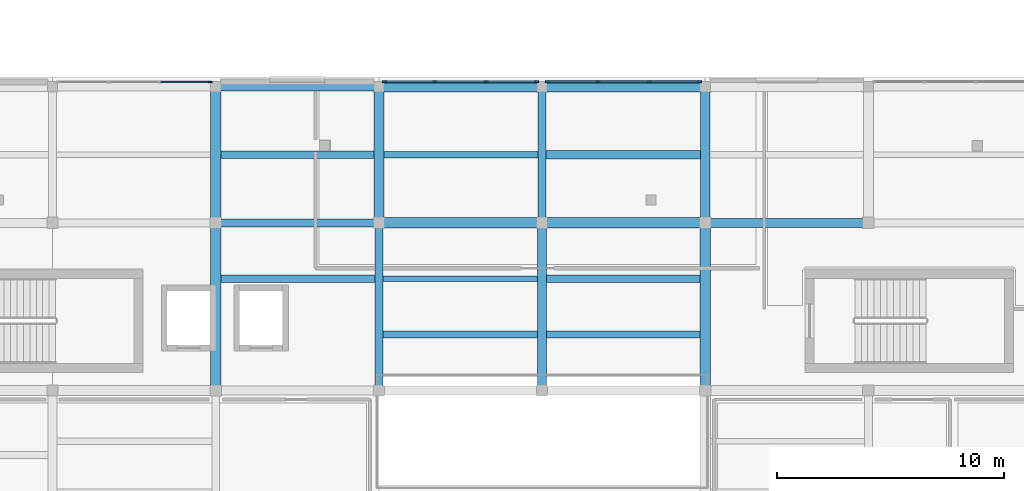
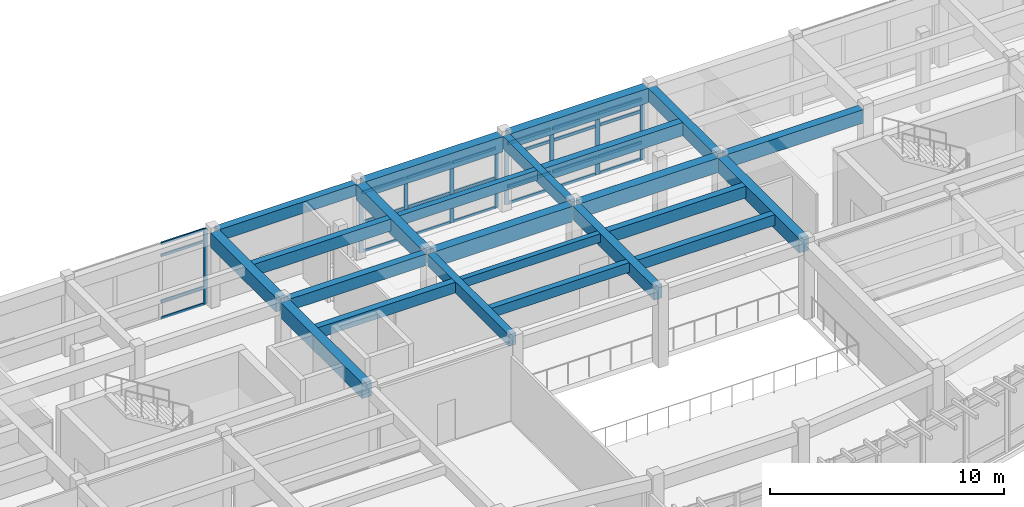
# One storey, part 24 of 60: 34 members, 23 beams, 3 elements without a shape of their own.
"""IFC4 building model written with IfcOpenShell, lengths in metres."""

from ifc_helpers import new_model, si_unit, direction, frame, origin, origin_2d, place, context, subcontext, project, spatial, rectangle, extrude, material, layer, layer_set, material_profile, profile_set, type_object, element, aggregate, save


model = new_model("IFC4")

# Units and contexts
model_context = context("Model", 3, precision=1e-05, world=origin(), true_north=direction((0.0, 1.0)))
body_context = subcontext(model_context, "Body", "Model", "MODEL_VIEW")
ifc_project = project(units=[si_unit("LENGTHUNIT", "METRE"), si_unit("AREAUNIT", "SQUARE_METRE"), si_unit("VOLUMEUNIT", "CUBIC_METRE"), si_unit("PLANEANGLEUNIT", "RADIAN"), si_unit("MASSUNIT", "GRAM", prefix="KILO")], contexts=[model_context])

# Site, building, storey
site_placement = place(None, origin())
site = spatial("IfcSite", under=ifc_project, at=site_placement, CompositionType="ELEMENT")
building_placement = place(site_placement, origin())
building = spatial("IfcBuilding", under=site, at=building_placement, Name="Brisavento Harbour Community Centre", CompositionType="ELEMENT")
storey_placement = place(building_placement, frame((0.0, 0.0, 4.5)))
storey = spatial("IfcBuildingStorey", under=building, at=storey_placement, Name="L01", CompositionType="ELEMENT", Elevation=4.5)

# Beams
ifc_material_1 = material(Name="Concrete C35/45", Category="concrete")
ifc_material_profile_1 = material_profile(ifc_material_1, rectangle(XDim=0.25, YDim=0.449951171875, at=origin_2d()), Name="Concrete C35/45")
ifc_profile_set_1 = profile_set([ifc_material_profile_1], Name="Concrete C35/45")
beam_type_1 = type_object("IfcBeamType", Name="BM-JST-250x450", PredefinedType="JOIST", material=ifc_profile_set_1)
beam_1_placement = place(storey_placement, frame((136.97509765625, 19.933349609375, 3.72509765625), z_axis=(1.0, 0.0, 0.0), x_axis=(0.0, 1.0, 0.0)))
element("IfcBeam", 1, at=beam_1_placement, inside=storey, type_object=beam_type_1, Name="L01 secondary floor joist 0266", PredefinedType="JOIST", context=body_context, shape_type="SweptSolid", body=[
    extrude(rectangle(XDim=0.25, YDim=0.449951171875, at=origin_2d()), origin(), (0.0, 0.0, 1.0), 6.824951171875),
])
ifc_material_profile_2 = material_profile(ifc_material_1, rectangle(XDim=0.280029296875, YDim=0.52001953125, at=origin_2d()), Name="Concrete C35/45")
ifc_profile_set_2 = profile_set([ifc_material_profile_2], Name="Concrete C35/45")
beam_type_2 = type_object("IfcBeamType", Name="BM-JST-280x520", PredefinedType="JOIST", material=ifc_profile_set_2)
beam_2_placement = place(storey_placement, frame((137.02490234375, 25.39990234375, 3.68994140625), z_axis=(1.0, 0.0, 0.0), x_axis=(0.0, 1.0, 0.0)))
element("IfcBeam", 2, at=beam_2_placement, inside=storey, type_object=beam_type_2, Name="L01 secondary floor joist 0267", PredefinedType="JOIST", context=body_context, shape_type="SweptSolid", body=[
    extrude(rectangle(XDim=0.280029296875, YDim=0.52001953125, at=origin_2d()), origin(), (0.0, 0.0, 1.0), 6.800048828125),
])
ifc_material_profile_3 = material_profile(ifc_material_1, rectangle(XDim=0.300048828125, YDim=0.5, at=origin_2d()), Name="Concrete C35/45")
ifc_profile_set_3 = profile_set([ifc_material_profile_3], Name="Concrete C35/45")
beam_type_3 = type_object("IfcBeamType", Name="BM-JST-300x500", PredefinedType="JOIST", material=ifc_profile_set_3)
beam_3_placement = place(storey_placement, frame((136.97509765625, 17.466796875, 3.699951171875), z_axis=(1.0, 0.0, 0.0), x_axis=(0.0, 1.0, 0.0)))
element("IfcBeam", 3, at=beam_3_placement, inside=storey, type_object=beam_type_3, Name="L01 secondary floor joist 0265", PredefinedType="JOIST", context=body_context, shape_type="SweptSolid", body=[
    extrude(rectangle(XDim=0.300048828125, YDim=0.5, at=origin_2d()), origin(), (0.0, 0.0, 1.0), 6.824951171875),
])
ifc_material_profile_4 = material_profile(ifc_material_1, rectangle(XDim=0.320068359375, YDim=0.56005859375, at=origin_2d()), Name="Concrete C35/45")
ifc_profile_set_4 = profile_set([ifc_material_profile_4], Name="Concrete C35/45")
beam_type_4 = type_object("IfcBeamType", Name="BM-JST-320x560", PredefinedType="JOIST", material=ifc_profile_set_4)
beam_4_placement = place(storey_placement, frame((129.824951171875, 19.933349609375, 3.669921875), z_axis=(1.0, 0.0, 0.0), x_axis=(0.0, 1.0, 0.0)))
element("IfcBeam", 4, at=beam_4_placement, inside=storey, type_object=beam_type_4, Name="L01 secondary floor joist 0259", PredefinedType="JOIST", context=body_context, shape_type="SweptSolid", body=[
    extrude(rectangle(XDim=0.320068359375, YDim=0.56005859375, at=origin_2d()), origin(), (0.0, 0.0, 1.0), 6.800048828125),
])
beam_5_placement = place(storey_placement, frame((144.199951171875, 17.466796875, 3.669921875), z_axis=(1.0, 0.0, 0.0), x_axis=(0.0, 1.0, 0.0)))
element("IfcBeam", 5, at=beam_5_placement, inside=storey, type_object=beam_type_4, Name="L01 secondary floor joist 0270", PredefinedType="JOIST", context=body_context, shape_type="SweptSolid", body=[
    extrude(rectangle(XDim=0.320068359375, YDim=0.56005859375, at=origin_2d()), origin(), (0.0, 0.0, 1.0), 6.775146484375),
])
ifc_material_profile_5 = material_profile(ifc_material_1, rectangle(XDim=0.320068359375, YDim=0.6201171875, at=origin_2d()), Name="Concrete C35/45")
ifc_profile_set_5 = profile_set([ifc_material_profile_5], Name="Concrete C35/45")
beam_type_5 = type_object("IfcBeamType", Name="BM-JST-320x620", PredefinedType="JOIST", material=ifc_profile_set_5)
beam_6_placement = place(storey_placement, frame((129.824951171875, 25.39990234375, 3.639892578125), z_axis=(1.0, 0.0, 0.0), x_axis=(0.0, 1.0, 0.0)))
element("IfcBeam", 6, at=beam_6_placement, inside=storey, type_object=beam_type_5, Name="L01 secondary floor joist 0260", PredefinedType="JOIST", context=body_context, shape_type="SweptSolid", body=[
    extrude(rectangle(XDim=0.320068359375, YDim=0.6201171875, at=origin_2d()), origin(), (0.0, 0.0, 1.0), 6.75),
])
beam_7_placement = place(storey_placement, frame((144.199951171875, 19.933349609375, 3.639892578125), z_axis=(1.0, 0.0, 0.0), x_axis=(0.0, 1.0, 0.0)))
element("IfcBeam", 7, at=beam_7_placement, inside=storey, type_object=beam_type_5, Name="L01 secondary floor joist 0271", PredefinedType="JOIST", context=body_context, shape_type="SweptSolid", body=[
    extrude(rectangle(XDim=0.320068359375, YDim=0.6201171875, at=origin_2d()), origin(), (0.0, 0.0, 1.0), 6.775146484375),
])
ifc_material_profile_6 = material_profile(ifc_material_1, rectangle(XDim=0.360107421875, YDim=0.679931640625, at=origin_2d()), Name="Concrete C35/45")
ifc_profile_set_6 = profile_set([ifc_material_profile_6], Name="Concrete C35/45")
beam_type_6 = type_object("IfcBeamType", Name="BM-JST-360x680", PredefinedType="JOIST", material=ifc_profile_set_6)
beam_8_placement = place(storey_placement, frame((144.175048828125, 25.39990234375, 3.610107421875), z_axis=(1.0, 0.0, 0.0), x_axis=(0.0, 1.0, 0.0)))
element("IfcBeam", 8, at=beam_8_placement, inside=storey, type_object=beam_type_6, Name="L01 secondary floor joist 0272", PredefinedType="JOIST", context=body_context, shape_type="SweptSolid", body=[
    extrude(rectangle(XDim=0.360107421875, YDim=0.679931640625, at=origin_2d()), origin(), (0.0, 0.0, 1.0), 6.824951171875),
])
ifc_material_profile_7 = material_profile(ifc_material_1, rectangle(XDim=0.35009765625, YDim=0.60009765625, at=origin_2d()), Name="Concrete C35/45")
ifc_profile_set_7 = profile_set([ifc_material_profile_7], Name="Concrete C35/45")
beam_type_7 = type_object("IfcBeamType", Name="BM-RC-350x600", PredefinedType="BEAM", material=ifc_profile_set_7)
beam_9_placement = place(storey_placement, frame((129.820068359375, 22.39990234375, 3.64990234375), z_axis=(1.0, 0.0, 0.0), x_axis=(0.0, 1.0, 0.0)))
element("IfcBeam", 9, at=beam_9_placement, inside=storey, type_object=beam_type_7, Name="L01 primary girder X0419", PredefinedType="BEAM", context=body_context, shape_type="SweptSolid", body=[
    extrude(rectangle(XDim=0.35009765625, YDim=0.60009765625, at=origin_2d()), origin(), (0.0, 0.0, 1.0), 6.760009765625),
])
beam_10_placement = place(storey_placement, frame((129.794921875, 28.39990234375, 3.64990234375), z_axis=(1.0, 0.0, 0.0), x_axis=(0.0, 1.0, 0.0)))
element("IfcBeam", 10, at=beam_10_placement, inside=storey, type_object=beam_type_7, Name="L01 primary girder X0434", PredefinedType="BEAM", context=body_context, shape_type="SweptSolid", body=[
    extrude(rectangle(XDim=0.35009765625, YDim=0.60009765625, at=origin_2d()), origin(), (0.0, 0.0, 1.0), 6.81005859375),
])
beam_11_placement = place(storey_placement, frame((136.800048828125, 15.219970703125, 3.64990234375), z_axis=(0.0, 1.0, 0.0), x_axis=(-1.0, 0.0, 0.0)))
element("IfcBeam", 11, at=beam_11_placement, inside=storey, type_object=beam_type_7, Name="L01 primary girder Y0514", PredefinedType="BEAM", context=body_context, shape_type="SweptSolid", body=[
    extrude(rectangle(XDim=0.35009765625, YDim=0.60009765625, at=origin_2d()), origin(), (0.0, 0.0, 1.0), 6.9599609375),
])
ifc_material_profile_8 = material_profile(ifc_material_1, rectangle(XDim=0.35009765625, YDim=0.64990234375, at=origin_2d()), Name="Concrete C35/45")
ifc_profile_set_8 = profile_set([ifc_material_profile_8], Name="Concrete C35/45")
beam_type_8 = type_object("IfcBeamType", Name="BM-RC-350x650", PredefinedType="BEAM", material=ifc_profile_set_8)
beam_12_placement = place(storey_placement, frame((144.0, 22.6201171875, 3.625), z_axis=(0.0, 1.0, 0.0), x_axis=(-1.0, 0.0, 0.0)))
element("IfcBeam", 12, at=beam_12_placement, inside=storey, type_object=beam_type_8, Name="L01 primary girder Y0518", PredefinedType="BEAM", context=body_context, shape_type="SweptSolid", body=[
    extrude(rectangle(XDim=0.35009765625, YDim=0.64990234375, at=origin_2d()), origin(), (0.0, 0.0, 1.0), 5.5849609375),
])
ifc_material_profile_9 = material_profile(ifc_material_1, rectangle(XDim=0.39990234375, YDim=0.699951171875, at=origin_2d()), Name="Concrete C35/45")
ifc_profile_set_9 = profile_set([ifc_material_profile_9], Name="Concrete C35/45")
beam_type_9 = type_object("IfcBeamType", Name="BM-RC-400x700", PredefinedType="BEAM", material=ifc_profile_set_9)
beam_13_placement = place(storey_placement, frame((151.419921875, 22.39990234375, 3.60009765625), z_axis=(1.0, 0.0, 0.0), x_axis=(0.0, 1.0, 0.0)))
element("IfcBeam", 13, at=beam_13_placement, inside=storey, type_object=beam_type_9, Name="L01 primary girder X0422", PredefinedType="BEAM", context=body_context, shape_type="SweptSolid", body=[
    extrude(rectangle(XDim=0.39990234375, YDim=0.699951171875, at=origin_2d()), origin(), (0.0, 0.0, 1.0), 6.760009765625),
])
beam_14_placement = place(storey_placement, frame((144.0, 15.219970703125, 3.60009765625), z_axis=(0.0, 1.0, 0.0), x_axis=(-1.0, 0.0, 0.0)))
element("IfcBeam", 14, at=beam_14_placement, inside=storey, type_object=beam_type_9, Name="L01 primary girder Y0517", PredefinedType="BEAM", context=body_context, shape_type="SweptSolid", body=[
    extrude(rectangle(XDim=0.39990234375, YDim=0.699951171875, at=origin_2d()), origin(), (0.0, 0.0, 1.0), 6.9599609375),
])
beam_15_placement = place(storey_placement, frame((151.199951171875, 22.6201171875, 3.60009765625), z_axis=(0.0, 1.0, 0.0), x_axis=(-1.0, 0.0, 0.0)))
element("IfcBeam", 15, at=beam_15_placement, inside=storey, type_object=beam_type_9, Name="L01 primary girder Y0522", PredefinedType="BEAM", context=body_context, shape_type="SweptSolid", body=[
    extrude(rectangle(XDim=0.39990234375, YDim=0.699951171875, at=origin_2d()), origin(), (0.0, 0.0, 1.0), 5.5849609375),
])
ifc_material_profile_10 = material_profile(ifc_material_1, rectangle(XDim=0.449951171875, YDim=0.75, at=origin_2d()), Name="Concrete C35/45")
ifc_profile_set_10 = profile_set([ifc_material_profile_10], Name="Concrete C35/45")
beam_type_10 = type_object("IfcBeamType", Name="BM-RC-450x750", PredefinedType="BEAM", material=ifc_profile_set_10)
beam_16_placement = place(storey_placement, frame((144.219970703125, 22.39990234375, 3.574951171875), z_axis=(1.0, 0.0, 0.0), x_axis=(0.0, 1.0, 0.0)))
element("IfcBeam", 16, at=beam_16_placement, inside=storey, type_object=beam_type_10, Name="L01 primary girder X0421", PredefinedType="BEAM", context=body_context, shape_type="SweptSolid", body=[
    extrude(rectangle(XDim=0.449951171875, YDim=0.75, at=origin_2d()), origin(), (0.0, 0.0, 1.0), 6.760009765625),
])
beam_17_placement = place(storey_placement, frame((144.195068359375, 28.39990234375, 3.574951171875), z_axis=(1.0, 0.0, 0.0), x_axis=(0.0, 1.0, 0.0)))
element("IfcBeam", 17, at=beam_17_placement, inside=storey, type_object=beam_type_10, Name="L01 primary girder X0436", PredefinedType="BEAM", context=body_context, shape_type="SweptSolid", body=[
    extrude(rectangle(XDim=0.449951171875, YDim=0.75, at=origin_2d()), origin(), (0.0, 0.0, 1.0), 6.809814453125),
])
beam_18_placement = place(storey_placement, frame((129.60009765625, 22.6201171875, 3.574951171875), z_axis=(0.0, 1.0, 0.0), x_axis=(-1.0, 0.0, 0.0)))
element("IfcBeam", 18, at=beam_18_placement, inside=storey, type_object=beam_type_10, Name="L01 primary girder Y0511", PredefinedType="BEAM", context=body_context, shape_type="SweptSolid", body=[
    extrude(rectangle(XDim=0.449951171875, YDim=0.75, at=origin_2d()), origin(), (0.0, 0.0, 1.0), 5.5849609375),
])
beam_19_placement = place(storey_placement, frame((151.199951171875, 15.219970703125, 3.574951171875), z_axis=(0.0, 1.0, 0.0), x_axis=(-1.0, 0.0, 0.0)))
element("IfcBeam", 19, at=beam_19_placement, inside=storey, type_object=beam_type_10, Name="L01 primary girder Y0521", PredefinedType="BEAM", context=body_context, shape_type="SweptSolid", body=[
    extrude(rectangle(XDim=0.449951171875, YDim=0.75, at=origin_2d()), origin(), (0.0, 0.0, 1.0), 6.9599609375),
])
ifc_material_profile_11 = material_profile(ifc_material_1, rectangle(XDim=0.449951171875, YDim=0.800048828125, at=origin_2d()), Name="Concrete C35/45")
ifc_profile_set_11 = profile_set([ifc_material_profile_11], Name="Concrete C35/45")
beam_type_11 = type_object("IfcBeamType", Name="BM-RC-450x800", PredefinedType="BEAM", material=ifc_profile_set_11)
beam_20_placement = place(storey_placement, frame((137.02001953125, 22.39990234375, 3.550048828125), z_axis=(1.0, 0.0, 0.0), x_axis=(0.0, 1.0, 0.0)))
element("IfcBeam", 20, at=beam_20_placement, inside=storey, type_object=beam_type_11, Name="L01 primary girder X0420", PredefinedType="BEAM", context=body_context, shape_type="SweptSolid", body=[
    extrude(rectangle(XDim=0.449951171875, YDim=0.800048828125, at=origin_2d()), origin(), (0.0, 0.0, 1.0), 6.760009765625),
])
beam_21_placement = place(storey_placement, frame((136.9951171875, 28.39990234375, 3.550048828125), z_axis=(1.0, 0.0, 0.0), x_axis=(0.0, 1.0, 0.0)))
element("IfcBeam", 21, at=beam_21_placement, inside=storey, type_object=beam_type_11, Name="L01 primary girder X0435", PredefinedType="BEAM", context=body_context, shape_type="SweptSolid", body=[
    extrude(rectangle(XDim=0.449951171875, YDim=0.800048828125, at=origin_2d()), origin(), (0.0, 0.0, 1.0), 6.809814453125),
])
beam_22_placement = place(storey_placement, frame((129.60009765625, 15.219970703125, 3.550048828125), z_axis=(0.0, 1.0, 0.0), x_axis=(-1.0, 0.0, 0.0)))
element("IfcBeam", 22, at=beam_22_placement, inside=storey, type_object=beam_type_11, Name="L01 primary girder Y0510", PredefinedType="BEAM", context=body_context, shape_type="SweptSolid", body=[
    extrude(rectangle(XDim=0.449951171875, YDim=0.800048828125, at=origin_2d()), origin(), (0.0, 0.0, 1.0), 6.9599609375),
])
beam_23_placement = place(storey_placement, frame((136.800048828125, 22.6201171875, 3.550048828125), z_axis=(0.0, 1.0, 0.0), x_axis=(-1.0, 0.0, 0.0)))
element("IfcBeam", 23, at=beam_23_placement, inside=storey, type_object=beam_type_11, Name="L01 primary girder Y0515", PredefinedType="BEAM", context=body_context, shape_type="SweptSolid", body=[
    extrude(rectangle(XDim=0.449951171875, YDim=0.800048828125, at=origin_2d()), origin(), (0.0, 0.0, 1.0), 5.5849609375),
])

# Curtain wall, member
ifc_material_2 = material(Name="Marine-anodised aluminium AW-6063-T6", Category="aluminium")
ifc_layer_1 = layer(ifc_material_2, 0.179931640625, Name="Marine-anodised aluminium AW-6063-T6")
ifc_layer_set_1 = layer_set([ifc_layer_1], Name="Marine-anodised aluminium AW-6063-T6")
curtain_wall_type_1 = type_object("IfcCurtainWallType", Name="CW-SYS-02", PredefinedType="USERDEFINED", material=ifc_layer_set_1)
curtain_wall_1_placement = place(storey_placement, origin())
curtain_wall_1 = element("IfcCurtainWall", 24, at=curtain_wall_1_placement, inside=storey, type_object=curtain_wall_type_1, Name="L01 V3 unitised curtain wall 086", ObjectType="UNITISED CURTAIN WALL", PredefinedType="USERDEFINED")
ifc_material_profile_12 = material_profile(ifc_material_2, rectangle(XDim=0.070068359375, YDim=0.179931640625, at=origin_2d()), Name="Marine-anodised aluminium AW-6063-T6")
ifc_profile_set_12 = profile_set([ifc_material_profile_12], Name="Marine-anodised aluminium AW-6063-T6")
member_type_1 = type_object("IfcMemberType", Name="CWM-02", PredefinedType="MULLION", material=ifc_profile_set_12)
member_1_placement = place(storey_placement, frame((129.35498046875, 28.6201171875, 0.0), z_axis=(0.0, 0.0, 1.0), x_axis=(0.0, 1.0, 0.0)))
member_1 = element("IfcMember", 25, at=member_1_placement, type_object=member_type_1, Name="CW-02 mullion 4", PredefinedType="MULLION", context=body_context, shape_type="SweptSolid", body=[
    extrude(rectangle(XDim=0.070068359375, YDim=0.179931640625, at=origin_2d()), origin(), (0.0, 0.0, 1.0), 3.949951171875),
])

# Curtain wall, members
ifc_layer_2 = layer(ifc_material_2, 0.179931640625, Name="Marine-anodised aluminium AW-6063-T6")
ifc_layer_set_2 = layer_set([ifc_layer_2], Name="Marine-anodised aluminium AW-6063-T6")
curtain_wall_type_2 = type_object("IfcCurtainWallType", Name="CW-SYS-03", PredefinedType="USERDEFINED", material=ifc_layer_set_2)
curtain_wall_2_placement = place(storey_placement, origin())
curtain_wall_2 = element("IfcCurtainWall", 26, at=curtain_wall_2_placement, inside=storey, type_object=curtain_wall_type_2, Name="L01 V3 unitised curtain wall 087", ObjectType="UNITISED CURTAIN WALL", PredefinedType="USERDEFINED")
ifc_material_profile_13 = material_profile(ifc_material_2, rectangle(XDim=0.074951171875, YDim=0.18994140625, at=origin_2d()), Name="Marine-anodised aluminium AW-6063-T6")
ifc_profile_set_13 = profile_set([ifc_material_profile_13], Name="Marine-anodised aluminium AW-6063-T6")
member_type_2 = type_object("IfcMemberType", Name="CWM-03", PredefinedType="MULLION", material=ifc_profile_set_13)
member_2_placement = place(storey_placement, frame((137.047607421875, 28.6201171875, 0.0), z_axis=(0.0, 0.0, 1.0), x_axis=(0.0, 1.0, 0.0)))
member_2 = element("IfcMember", 27, at=member_2_placement, type_object=member_type_2, Name="CW-03 mullion 1", PredefinedType="MULLION", context=body_context, shape_type="SweptSolid", body=[
    extrude(rectangle(XDim=0.074951171875, YDim=0.18994140625, at=origin_2d()), origin(), (0.0, 0.0, 1.0), 3.14990234375),
])
member_3_placement = place(storey_placement, frame((139.27001953125, 28.6201171875, 0.0), z_axis=(0.0, 0.0, 1.0), x_axis=(0.0, 1.0, 0.0)))
member_3 = element("IfcMember", 28, at=member_3_placement, type_object=member_type_2, Name="CW-03 mullion 2", PredefinedType="MULLION", context=body_context, shape_type="SweptSolid", body=[
    extrude(rectangle(XDim=0.074951171875, YDim=0.18994140625, at=origin_2d()), origin(), (0.0, 0.0, 1.0), 3.14990234375),
])
member_4_placement = place(storey_placement, frame((141.530029296875, 28.6201171875, 0.0), z_axis=(0.0, 0.0, 1.0), x_axis=(0.0, 1.0, 0.0)))
member_4 = element("IfcMember", 29, at=member_4_placement, type_object=member_type_2, Name="CW-03 mullion 3", PredefinedType="MULLION", context=body_context, shape_type="SweptSolid", body=[
    extrude(rectangle(XDim=0.074951171875, YDim=0.18994140625, at=origin_2d()), origin(), (0.0, 0.0, 1.0), 3.14990234375),
])
member_5_placement = place(storey_placement, frame((143.75244140625, 28.6201171875, 0.0), z_axis=(0.0, 0.0, 1.0), x_axis=(0.0, 1.0, 0.0)))
member_5 = element("IfcMember", 30, at=member_5_placement, type_object=member_type_2, Name="CW-03 mullion 4", PredefinedType="MULLION", context=body_context, shape_type="SweptSolid", body=[
    extrude(rectangle(XDim=0.074951171875, YDim=0.18994140625, at=origin_2d()), origin(), (0.0, 0.0, 1.0), 3.14990234375),
])

ifc_layer_3 = layer(ifc_material_2, 0.179931640625, Name="Marine-anodised aluminium AW-6063-T6")
ifc_layer_set_3 = layer_set([ifc_layer_3], Name="Marine-anodised aluminium AW-6063-T6")
curtain_wall_type_3 = type_object("IfcCurtainWallType", Name="CW-SYS-04", PredefinedType="USERDEFINED", material=ifc_layer_set_3)
curtain_wall_3_placement = place(storey_placement, origin())
curtain_wall_3 = element("IfcCurtainWall", 31, at=curtain_wall_3_placement, inside=storey, type_object=curtain_wall_type_3, Name="L01 V3 unitised curtain wall 088", ObjectType="UNITISED CURTAIN WALL", PredefinedType="USERDEFINED")
ifc_material_profile_14 = material_profile(ifc_material_2, rectangle(XDim=0.080078125, YDim=0.2099609375, at=origin_2d()), Name="Marine-anodised aluminium AW-6063-T6")
ifc_profile_set_14 = profile_set([ifc_material_profile_14], Name="Marine-anodised aluminium AW-6063-T6")
member_type_3 = type_object("IfcMemberType", Name="CWM-04", PredefinedType="MULLION", material=ifc_profile_set_14)
member_6_placement = place(storey_placement, frame((144.25, 28.6201171875, 0.0), z_axis=(0.0, 0.0, 1.0), x_axis=(0.0, 1.0, 0.0)))
member_6 = element("IfcMember", 32, at=member_6_placement, type_object=member_type_3, Name="CW-04 mullion 1", PredefinedType="MULLION", context=body_context, shape_type="SweptSolid", body=[
    extrude(rectangle(XDim=0.080078125, YDim=0.2099609375, at=origin_2d()), origin(), (0.0, 0.0, 1.0), 3.199951171875),
])
member_7_placement = place(storey_placement, frame((146.469970703125, 28.6201171875, 0.0), z_axis=(0.0, 0.0, 1.0), x_axis=(0.0, 1.0, 0.0)))
member_7 = element("IfcMember", 33, at=member_7_placement, type_object=member_type_3, Name="CW-04 mullion 2", PredefinedType="MULLION", context=body_context, shape_type="SweptSolid", body=[
    extrude(rectangle(XDim=0.080078125, YDim=0.2099609375, at=origin_2d()), origin(), (0.0, 0.0, 1.0), 3.199951171875),
])
member_8_placement = place(storey_placement, frame((148.72998046875, 28.6201171875, 0.0), z_axis=(0.0, 0.0, 1.0), x_axis=(0.0, 1.0, 0.0)))
member_8 = element("IfcMember", 34, at=member_8_placement, type_object=member_type_3, Name="CW-04 mullion 3", PredefinedType="MULLION", context=body_context, shape_type="SweptSolid", body=[
    extrude(rectangle(XDim=0.080078125, YDim=0.2099609375, at=origin_2d()), origin(), (0.0, 0.0, 1.0), 3.199951171875),
])
member_9_placement = place(storey_placement, frame((150.949951171875, 28.6201171875, 0.0), z_axis=(0.0, 0.0, 1.0), x_axis=(0.0, 1.0, 0.0)))
member_9 = element("IfcMember", 35, at=member_9_placement, type_object=member_type_3, Name="CW-04 mullion 4", PredefinedType="MULLION", context=body_context, shape_type="SweptSolid", body=[
    extrude(rectangle(XDim=0.080078125, YDim=0.2099609375, at=origin_2d()), origin(), (0.0, 0.0, 1.0), 3.199951171875),
])

# Member
ifc_material_profile_15 = material_profile(ifc_material_2, rectangle(XDim=0.070068359375, YDim=0.132080078125, at=origin_2d()), Name="Marine-anodised aluminium AW-6063-T6")
ifc_profile_set_15 = profile_set([ifc_material_profile_15], Name="Marine-anodised aluminium AW-6063-T6")
member_type_4 = type_object("IfcMemberType", Name="CWT-02", PredefinedType="USERDEFINED", material=ifc_profile_set_15)
member_10_placement = place(storey_placement, frame((127.1650390625, 28.6201171875, 0.034912109375), z_axis=(1.0, 0.0, 0.0), x_axis=(0.0, 1.0, 0.0)))
member_10 = element("IfcMember", 36, at=member_10_placement, type_object=member_type_4, Name="CW-02 transom 3.1", ObjectType="TRANSOM", PredefinedType="USERDEFINED", context=body_context, shape_type="SweptSolid", body=[
    extrude(rectangle(XDim=0.070068359375, YDim=0.132080078125, at=origin_2d()), origin(), (0.0, 0.0, 1.0), 2.155029296875),
])

member_11_placement = place(storey_placement, frame((127.1650390625, 28.6201171875, 0.89990234375), z_axis=(1.0, 0.0, 0.0), x_axis=(0.0, 1.0, 0.0)))
member_11 = element("IfcMember", 37, at=member_11_placement, type_object=member_type_4, Name="CW-02 transom 3.2", ObjectType="TRANSOM", PredefinedType="USERDEFINED", context=body_context, shape_type="SweptSolid", body=[
    extrude(rectangle(XDim=0.070068359375, YDim=0.132080078125, at=origin_2d()), origin(), (0.0, 0.0, 1.0), 2.155029296875),
])

member_12_placement = place(storey_placement, frame((127.1650390625, 28.6201171875, 3.300048828125), z_axis=(1.0, 0.0, 0.0), x_axis=(0.0, 1.0, 0.0)))
member_12 = element("IfcMember", 38, at=member_12_placement, type_object=member_type_4, Name="CW-02 transom 3.3", ObjectType="TRANSOM", PredefinedType="USERDEFINED", context=body_context, shape_type="SweptSolid", body=[
    extrude(rectangle(XDim=0.070068359375, YDim=0.132080078125, at=origin_2d()), origin(), (0.0, 0.0, 1.0), 2.155029296875),
])

member_13_placement = place(storey_placement, frame((127.1650390625, 28.6201171875, 3.9150390625), z_axis=(1.0, 0.0, 0.0), x_axis=(0.0, 1.0, 0.0)))
member_13 = element("IfcMember", 39, at=member_13_placement, type_object=member_type_4, Name="CW-02 transom 3.4", ObjectType="TRANSOM", PredefinedType="USERDEFINED", context=body_context, shape_type="SweptSolid", body=[
    extrude(rectangle(XDim=0.070068359375, YDim=0.132080078125, at=origin_2d()), origin(), (0.0, 0.0, 1.0), 2.155029296875),
])

aggregate(curtain_wall_1, [member_1, member_10, member_11, member_12, member_13])

ifc_material_profile_16 = material_profile(ifc_material_2, rectangle(XDim=0.074951171875, YDim=0.139892578125, at=origin_2d()), Name="Marine-anodised aluminium AW-6063-T6")
ifc_profile_set_16 = profile_set([ifc_material_profile_16], Name="Marine-anodised aluminium AW-6063-T6")
member_type_5 = type_object("IfcMemberType", Name="CWT-03", PredefinedType="USERDEFINED", material=ifc_profile_set_16)
member_14_placement = place(storey_placement, frame((137.0849609375, 28.6201171875, 0.03759765625), z_axis=(1.0, 0.0, 0.0), x_axis=(0.0, 1.0, 0.0)))
member_14 = element("IfcMember", 40, at=member_14_placement, type_object=member_type_5, Name="CW-03 transom 1.1", ObjectType="TRANSOM", PredefinedType="USERDEFINED", context=body_context, shape_type="SweptSolid", body=[
    extrude(rectangle(XDim=0.074951171875, YDim=0.139892578125, at=origin_2d()), origin(), (0.0, 0.0, 1.0), 2.1474609375),
])

member_15_placement = place(storey_placement, frame((137.0849609375, 28.6201171875, 1.574951171875), z_axis=(1.0, 0.0, 0.0), x_axis=(0.0, 1.0, 0.0)))
member_15 = element("IfcMember", 41, at=member_15_placement, type_object=member_type_5, Name="CW-03 transom 1.2", ObjectType="TRANSOM", PredefinedType="USERDEFINED", context=body_context, shape_type="SweptSolid", body=[
    extrude(rectangle(XDim=0.074951171875, YDim=0.139892578125, at=origin_2d()), origin(), (0.0, 0.0, 1.0), 2.1474609375),
])

member_16_placement = place(storey_placement, frame((137.0849609375, 28.6201171875, 3.112548828125), z_axis=(1.0, 0.0, 0.0), x_axis=(0.0, 1.0, 0.0)))
member_16 = element("IfcMember", 42, at=member_16_placement, type_object=member_type_5, Name="CW-03 transom 1.3", ObjectType="TRANSOM", PredefinedType="USERDEFINED", context=body_context, shape_type="SweptSolid", body=[
    extrude(rectangle(XDim=0.074951171875, YDim=0.139892578125, at=origin_2d()), origin(), (0.0, 0.0, 1.0), 2.1474609375),
])

member_17_placement = place(storey_placement, frame((139.3076171875, 28.6201171875, 0.03759765625), z_axis=(1.0, 0.0, 0.0), x_axis=(0.0, 1.0, 0.0)))
member_17 = element("IfcMember", 43, at=member_17_placement, type_object=member_type_5, Name="CW-03 transom 2.1", ObjectType="TRANSOM", PredefinedType="USERDEFINED", context=body_context, shape_type="SweptSolid", body=[
    extrude(rectangle(XDim=0.074951171875, YDim=0.139892578125, at=origin_2d()), origin(), (0.0, 0.0, 1.0), 2.184814453125),
])

member_18_placement = place(storey_placement, frame((139.3076171875, 28.6201171875, 1.574951171875), z_axis=(1.0, 0.0, 0.0), x_axis=(0.0, 1.0, 0.0)))
member_18 = element("IfcMember", 44, at=member_18_placement, type_object=member_type_5, Name="CW-03 transom 2.2", ObjectType="TRANSOM", PredefinedType="USERDEFINED", context=body_context, shape_type="SweptSolid", body=[
    extrude(rectangle(XDim=0.074951171875, YDim=0.139892578125, at=origin_2d()), origin(), (0.0, 0.0, 1.0), 2.184814453125),
])

member_19_placement = place(storey_placement, frame((139.3076171875, 28.6201171875, 3.112548828125), z_axis=(1.0, 0.0, 0.0), x_axis=(0.0, 1.0, 0.0)))
member_19 = element("IfcMember", 45, at=member_19_placement, type_object=member_type_5, Name="CW-03 transom 2.3", ObjectType="TRANSOM", PredefinedType="USERDEFINED", context=body_context, shape_type="SweptSolid", body=[
    extrude(rectangle(XDim=0.074951171875, YDim=0.139892578125, at=origin_2d()), origin(), (0.0, 0.0, 1.0), 2.184814453125),
])

member_20_placement = place(storey_placement, frame((141.5673828125, 28.6201171875, 0.03759765625), z_axis=(1.0, 0.0, 0.0), x_axis=(0.0, 1.0, 0.0)))
member_20 = element("IfcMember", 46, at=member_20_placement, type_object=member_type_5, Name="CW-03 transom 3.1", ObjectType="TRANSOM", PredefinedType="USERDEFINED", context=body_context, shape_type="SweptSolid", body=[
    extrude(rectangle(XDim=0.074951171875, YDim=0.139892578125, at=origin_2d()), origin(), (0.0, 0.0, 1.0), 2.147705078125),
])

member_21_placement = place(storey_placement, frame((141.5673828125, 28.6201171875, 1.574951171875), z_axis=(1.0, 0.0, 0.0), x_axis=(0.0, 1.0, 0.0)))
member_21 = element("IfcMember", 47, at=member_21_placement, type_object=member_type_5, Name="CW-03 transom 3.2", ObjectType="TRANSOM", PredefinedType="USERDEFINED", context=body_context, shape_type="SweptSolid", body=[
    extrude(rectangle(XDim=0.074951171875, YDim=0.139892578125, at=origin_2d()), origin(), (0.0, 0.0, 1.0), 2.147705078125),
])

member_22_placement = place(storey_placement, frame((141.5673828125, 28.6201171875, 3.112548828125), z_axis=(1.0, 0.0, 0.0), x_axis=(0.0, 1.0, 0.0)))
member_22 = element("IfcMember", 48, at=member_22_placement, type_object=member_type_5, Name="CW-03 transom 3.3", ObjectType="TRANSOM", PredefinedType="USERDEFINED", context=body_context, shape_type="SweptSolid", body=[
    extrude(rectangle(XDim=0.074951171875, YDim=0.139892578125, at=origin_2d()), origin(), (0.0, 0.0, 1.0), 2.147705078125),
])

aggregate(curtain_wall_2, [member_2, member_3, member_4, member_5, member_14, member_15, member_16, member_17, member_18, member_19, member_20, member_21, member_22])

ifc_material_profile_17 = material_profile(ifc_material_2, rectangle(XDim=0.080078125, YDim=0.155029296875, at=origin_2d()), Name="Marine-anodised aluminium AW-6063-T6")
ifc_profile_set_17 = profile_set([ifc_material_profile_17], Name="Marine-anodised aluminium AW-6063-T6")
member_type_6 = type_object("IfcMemberType", Name="CWT-04", PredefinedType="USERDEFINED", material=ifc_profile_set_17)
member_23_placement = place(storey_placement, frame((144.2900390625, 28.6201171875, 0.0400390625), z_axis=(1.0, 0.0, 0.0), x_axis=(0.0, 1.0, 0.0)))
member_23 = element("IfcMember", 49, at=member_23_placement, type_object=member_type_6, Name="CW-04 transom 1.1", ObjectType="TRANSOM", PredefinedType="USERDEFINED", context=body_context, shape_type="SweptSolid", body=[
    extrude(rectangle(XDim=0.080078125, YDim=0.155029296875, at=origin_2d()), origin(), (0.0, 0.0, 1.0), 2.139892578125),
])

member_24_placement = place(storey_placement, frame((144.2900390625, 28.6201171875, 0.89990234375), z_axis=(1.0, 0.0, 0.0), x_axis=(0.0, 1.0, 0.0)))
member_24 = element("IfcMember", 50, at=member_24_placement, type_object=member_type_6, Name="CW-04 transom 1.2", ObjectType="TRANSOM", PredefinedType="USERDEFINED", context=body_context, shape_type="SweptSolid", body=[
    extrude(rectangle(XDim=0.080078125, YDim=0.155029296875, at=origin_2d()), origin(), (0.0, 0.0, 1.0), 2.139892578125),
])

member_25_placement = place(storey_placement, frame((144.2900390625, 28.6201171875, 2.550048828125), z_axis=(1.0, 0.0, 0.0), x_axis=(0.0, 1.0, 0.0)))
member_25 = element("IfcMember", 51, at=member_25_placement, type_object=member_type_6, Name="CW-04 transom 1.3", ObjectType="TRANSOM", PredefinedType="USERDEFINED", context=body_context, shape_type="SweptSolid", body=[
    extrude(rectangle(XDim=0.080078125, YDim=0.155029296875, at=origin_2d()), origin(), (0.0, 0.0, 1.0), 2.139892578125),
])

member_26_placement = place(storey_placement, frame((144.2900390625, 28.6201171875, 3.159912109375), z_axis=(1.0, 0.0, 0.0), x_axis=(0.0, 1.0, 0.0)))
member_26 = element("IfcMember", 52, at=member_26_placement, type_object=member_type_6, Name="CW-04 transom 1.4", ObjectType="TRANSOM", PredefinedType="USERDEFINED", context=body_context, shape_type="SweptSolid", body=[
    extrude(rectangle(XDim=0.080078125, YDim=0.155029296875, at=origin_2d()), origin(), (0.0, 0.0, 1.0), 2.139892578125),
])

member_27_placement = place(storey_placement, frame((146.510009765625, 28.6201171875, 0.0400390625), z_axis=(1.0, 0.0, 0.0), x_axis=(0.0, 1.0, 0.0)))
member_27 = element("IfcMember", 53, at=member_27_placement, type_object=member_type_6, Name="CW-04 transom 2.1", ObjectType="TRANSOM", PredefinedType="USERDEFINED", context=body_context, shape_type="SweptSolid", body=[
    extrude(rectangle(XDim=0.080078125, YDim=0.155029296875, at=origin_2d()), origin(), (0.0, 0.0, 1.0), 2.179931640625),
])

member_28_placement = place(storey_placement, frame((146.510009765625, 28.6201171875, 0.89990234375), z_axis=(1.0, 0.0, 0.0), x_axis=(0.0, 1.0, 0.0)))
member_28 = element("IfcMember", 54, at=member_28_placement, type_object=member_type_6, Name="CW-04 transom 2.2", ObjectType="TRANSOM", PredefinedType="USERDEFINED", context=body_context, shape_type="SweptSolid", body=[
    extrude(rectangle(XDim=0.080078125, YDim=0.155029296875, at=origin_2d()), origin(), (0.0, 0.0, 1.0), 2.179931640625),
])

member_29_placement = place(storey_placement, frame((146.510009765625, 28.6201171875, 2.550048828125), z_axis=(1.0, 0.0, 0.0), x_axis=(0.0, 1.0, 0.0)))
member_29 = element("IfcMember", 55, at=member_29_placement, type_object=member_type_6, Name="CW-04 transom 2.3", ObjectType="TRANSOM", PredefinedType="USERDEFINED", context=body_context, shape_type="SweptSolid", body=[
    extrude(rectangle(XDim=0.080078125, YDim=0.155029296875, at=origin_2d()), origin(), (0.0, 0.0, 1.0), 2.179931640625),
])

member_30_placement = place(storey_placement, frame((146.510009765625, 28.6201171875, 3.159912109375), z_axis=(1.0, 0.0, 0.0), x_axis=(0.0, 1.0, 0.0)))
member_30 = element("IfcMember", 56, at=member_30_placement, type_object=member_type_6, Name="CW-04 transom 2.4", ObjectType="TRANSOM", PredefinedType="USERDEFINED", context=body_context, shape_type="SweptSolid", body=[
    extrude(rectangle(XDim=0.080078125, YDim=0.155029296875, at=origin_2d()), origin(), (0.0, 0.0, 1.0), 2.179931640625),
])

member_31_placement = place(storey_placement, frame((148.77001953125, 28.6201171875, 0.0400390625), z_axis=(1.0, 0.0, 0.0), x_axis=(0.0, 1.0, 0.0)))
member_31 = element("IfcMember", 57, at=member_31_placement, type_object=member_type_6, Name="CW-04 transom 3.1", ObjectType="TRANSOM", PredefinedType="USERDEFINED", context=body_context, shape_type="SweptSolid", body=[
    extrude(rectangle(XDim=0.080078125, YDim=0.155029296875, at=origin_2d()), origin(), (0.0, 0.0, 1.0), 2.139892578125),
])

member_32_placement = place(storey_placement, frame((148.77001953125, 28.6201171875, 0.89990234375), z_axis=(1.0, 0.0, 0.0), x_axis=(0.0, 1.0, 0.0)))
member_32 = element("IfcMember", 58, at=member_32_placement, type_object=member_type_6, Name="CW-04 transom 3.2", ObjectType="TRANSOM", PredefinedType="USERDEFINED", context=body_context, shape_type="SweptSolid", body=[
    extrude(rectangle(XDim=0.080078125, YDim=0.155029296875, at=origin_2d()), origin(), (0.0, 0.0, 1.0), 2.139892578125),
])

member_33_placement = place(storey_placement, frame((148.77001953125, 28.6201171875, 2.550048828125), z_axis=(1.0, 0.0, 0.0), x_axis=(0.0, 1.0, 0.0)))
member_33 = element("IfcMember", 59, at=member_33_placement, type_object=member_type_6, Name="CW-04 transom 3.3", ObjectType="TRANSOM", PredefinedType="USERDEFINED", context=body_context, shape_type="SweptSolid", body=[
    extrude(rectangle(XDim=0.080078125, YDim=0.155029296875, at=origin_2d()), origin(), (0.0, 0.0, 1.0), 2.139892578125),
])

member_34_placement = place(storey_placement, frame((148.77001953125, 28.6201171875, 3.159912109375), z_axis=(1.0, 0.0, 0.0), x_axis=(0.0, 1.0, 0.0)))
member_34 = element("IfcMember", 60, at=member_34_placement, type_object=member_type_6, Name="CW-04 transom 3.4", ObjectType="TRANSOM", PredefinedType="USERDEFINED", context=body_context, shape_type="SweptSolid", body=[
    extrude(rectangle(XDim=0.080078125, YDim=0.155029296875, at=origin_2d()), origin(), (0.0, 0.0, 1.0), 2.139892578125),
])

aggregate(curtain_wall_3, [member_6, member_7, member_8, member_9, member_23, member_24, member_25, member_26, member_27, member_28, member_29, member_30, member_31, member_32, member_33, member_34])

save(model, "model.ifc")
